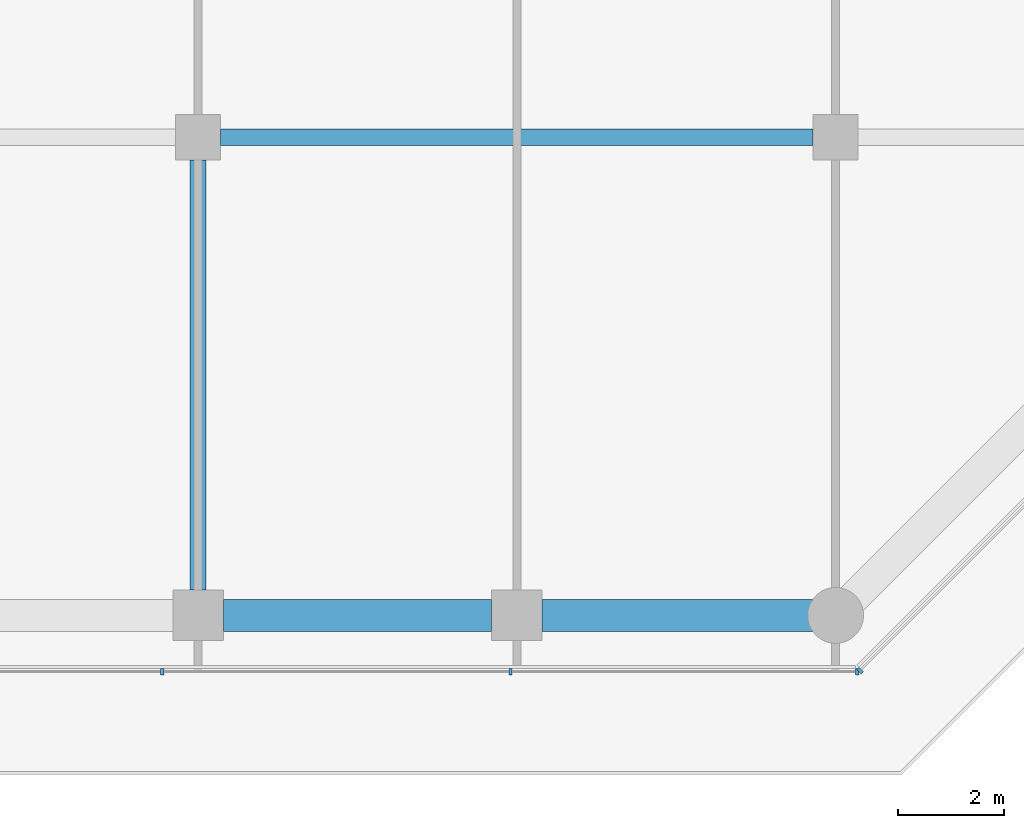
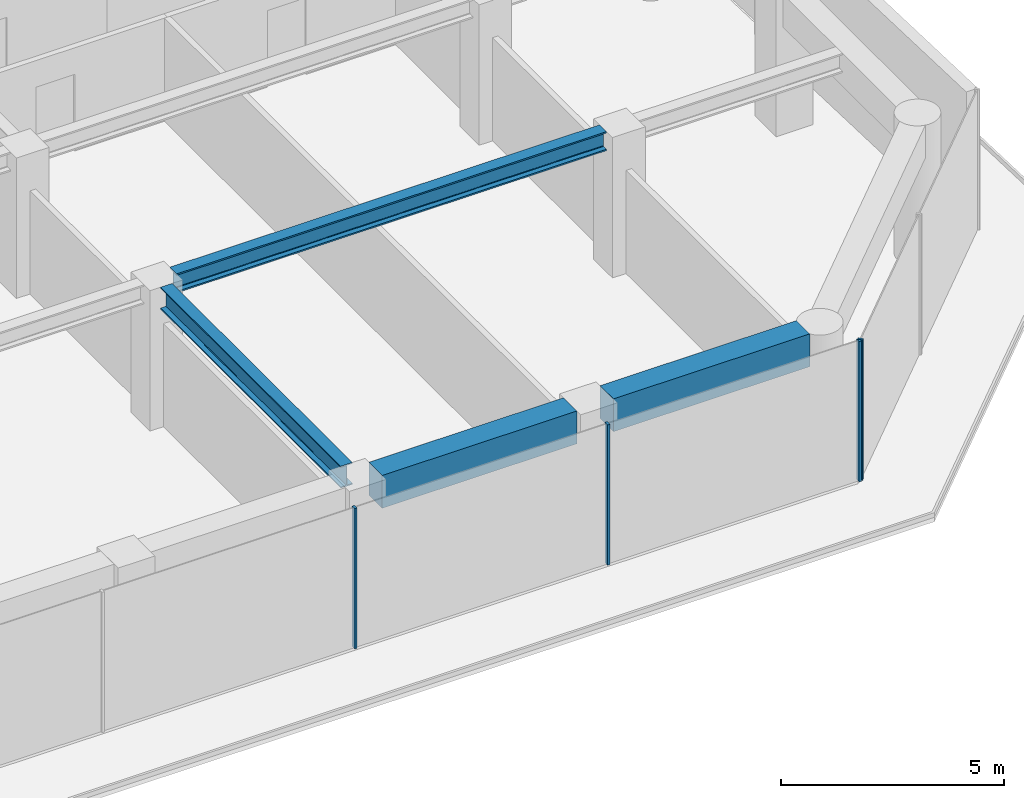
# One storey, part 9 of 29: 4 beams, 4 members, 2 elements without a shape of their own.
"""IFC4 building model written with IfcOpenShell, lengths in metres."""

import ifcopenshell
import ifcopenshell.guid

model = None  # the IFC model being written
_history = None  # IfcOwnerHistory: only IFC2X3 demands one
_inside = {}  # id of a spatial element -> (the spatial element, [elements in it])
_under = {}  # id of a project, library or spatial element -> (it, [spatial elements below it])
_declared = {}  # id of a project -> (the project, [libraries it declares])
_typed = {}  # id of a type object -> (the type object, [elements of that type])
_made_of = {}  # id of a material, layer set ... -> (it, [elements and type objects made of it])


def new_model(schema):
    """Start an empty IFC model of exactly this schema.

    Asked for "IFC4X3", IfcOpenShell would pick the latest addendum, in which some entities
    have other attributes; the version numbers below select the first issue.
    IFC2X3 requires an IfcOwnerHistory on every rooted entity: one is made here for all.
    """
    global model, _history
    if schema == "IFC4X3":
        model = ifcopenshell.file(schema_version=(4, 3, 0, 0))
    else:
        model = ifcopenshell.file(schema=schema)
    _inside.clear()
    _under.clear()
    _declared.clear()
    _typed.clear()
    _made_of.clear()
    _history = None
    if model.schema == "IFC2X3":
        org = make("IfcOrganization", Name="unknown")
        user = make(
            "IfcPersonAndOrganization",
            ThePerson=make("IfcPerson", FamilyName="unknown"),
            TheOrganization=org,
        )
        app = make(
            "IfcApplication",
            ApplicationDeveloper=org,
            Version="unknown",
            ApplicationFullName="unknown",
            ApplicationIdentifier="unknown",
        )
        _history = make(
            "IfcOwnerHistory",
            OwningUser=user,
            OwningApplication=app,
            ChangeAction="ADDED",
            CreationDate=0,
        )
    return model


def make(cls, **values):
    """One entity of the class cls with the attributes given. An attribute that is None is left unset."""
    return model.create_entity(
        cls, **{name: value for name, value in values.items() if value is not None}
    )


def rooted(cls, **values):
    """An entity with a GlobalId (a new one), such as an element, a storey or a relation."""
    return make(cls, GlobalId=ifcopenshell.guid.new(), OwnerHistory=_history, **values)


def si_unit(unit_type, name, prefix=None):
    """IfcSIUnit, for example si_unit("LENGTHUNIT", "METRE", prefix="MILLI")."""
    return make("IfcSIUnit", UnitType=unit_type, Prefix=prefix, Name=name)


def assignment(units):
    """IfcUnitAssignment: the units of a project."""
    return None if units is None else make("IfcUnitAssignment", Units=units)


def point(xyz):
    """IfcCartesianPoint."""
    return None if xyz is None else make("IfcCartesianPoint", Coordinates=xyz)


def direction(xyz):
    """IfcDirection."""
    return None if xyz is None else make("IfcDirection", DirectionRatios=xyz)


def frame(location, z_axis=None, x_axis=None):
    """IfcAxis2Placement3D, a coordinate frame: its origin and axes. An axis left out is left unset."""
    return make(
        "IfcAxis2Placement3D",
        Location=point(location),
        Axis=direction(z_axis),
        RefDirection=direction(x_axis),
    )


def frame_2d(location, x_axis=None):
    """IfcAxis2Placement2D, a coordinate frame in the plane: its origin and x axis."""
    return make(
        "IfcAxis2Placement2D", Location=point(location), RefDirection=direction(x_axis)
    )


def origin():
    """The frame at (0, 0, 0) with its axes left unset."""
    return frame((0.0, 0.0, 0.0))


def origin_2d():
    """The frame at (0, 0) in the plane with its x axis left unset."""
    return frame_2d((0.0, 0.0))


def place(relative_to, where):
    """IfcLocalPlacement: puts the frame where relative to a parent placement (None: the world)."""
    return make(
        "IfcLocalPlacement", PlacementRelTo=relative_to, RelativePlacement=where
    )


def context(
    kind, dimensions, precision=None, world=None, true_north=None, identifier=None
):
    """IfcGeometricRepresentationContext, for example the 3D "Model" context."""
    return make(
        "IfcGeometricRepresentationContext",
        ContextIdentifier=identifier,
        ContextType=kind,
        CoordinateSpaceDimension=dimensions,
        Precision=precision,
        WorldCoordinateSystem=world,
        TrueNorth=true_north,
    )


def subcontext(parent, identifier, kind, view, scale=None):
    """IfcGeometricRepresentationSubContext, for example "Body" below "Model"."""
    return make(
        "IfcGeometricRepresentationSubContext",
        ContextIdentifier=identifier,
        ContextType=kind,
        ParentContext=parent,
        TargetScale=scale,
        TargetView=view,
    )


def project(units=None, contexts=None):
    """IfcProject with its units and contexts."""
    return rooted(
        "IfcProject",
        Name="project",
        RepresentationContexts=contexts,
        UnitsInContext=assignment(units),
    )


def spatial(cls, under=None, at=None, **own):
    """A site, building, storey or space (cls), placed at a placement, below another one or the project."""
    s = rooted(cls, ObjectPlacement=at, **own)
    if under is not None:
        _under.setdefault(under.id(), (under, []))[1].append(s)
    return s


def profile(cls, at=None, kind="AREA", **sizes):
    """A parametric profile (cls). Its sizes go by their IFC names, for example OverallWidth=200.0."""
    return make(cls, ProfileType=kind, Position=at, **sizes)


def rectangle(**sizes):
    """IfcRectangleProfileDef."""
    return profile("IfcRectangleProfileDef", **sizes)


def i_section(**sizes):
    """IfcIShapeProfileDef."""
    return profile("IfcIShapeProfileDef", **sizes)


def extrude(swept, where, along, depth):
    """IfcExtrudedAreaSolid: the profile swept, set in the frame where, extruded along a direction by depth."""
    return make(
        "IfcExtrudedAreaSolid",
        SweptArea=swept,
        Position=where,
        ExtrudedDirection=direction(along),
        Depth=depth,
    )


def shape(context_of_items, identifier, shape_type, items):
    """IfcShapeRepresentation: the items that make up one representation, for example the "Body"."""
    return make(
        "IfcShapeRepresentation",
        ContextOfItems=context_of_items,
        RepresentationIdentifier=identifier,
        RepresentationType=shape_type,
        Items=items,
    )


def material(Name=None, Category=None):
    """IfcMaterial."""
    return make("IfcMaterial", Name=Name, Category=Category)


def layer(
    of_material, thickness, ventilated=None, Name=None, Category=None, Priority=None
):
    """IfcMaterialLayer: one layer of a wall or slab, of a material (None: an air gap)."""
    return make(
        "IfcMaterialLayer",
        Material=of_material,
        LayerThickness=thickness,
        IsVentilated=ventilated,
        Name=Name,
        Category=Category,
        Priority=Priority,
    )


def layer_set(layers, Name=None):
    """IfcMaterialLayerSet."""
    return make("IfcMaterialLayerSet", MaterialLayers=layers, LayerSetName=Name)


def material_profile(
    of_material, cross_section, Name=None, Category=None, Priority=None
):
    """IfcMaterialProfile: a cross section and its material."""
    return make(
        "IfcMaterialProfile",
        Name=Name,
        Material=of_material,
        Profile=cross_section,
        Priority=Priority,
        Category=Category,
    )


def profile_set(profiles, Name=None, composite=None):
    """IfcMaterialProfileSet."""
    return make(
        "IfcMaterialProfileSet",
        Name=Name,
        MaterialProfiles=profiles,
        CompositeProfile=composite,
    )


def made_of(thing, what):
    """Note that an element or type object is made of a material, layer set ...; save() writes the relation."""
    if what is not None:
        _made_of.setdefault(what.id(), (what, []))[1].append(thing)
    return thing


def type_object(cls, material=None, **own):
    """A type object (cls), such as IfcWallType, which elements share."""
    return made_of(rooted(cls, **own), material)


def element(
    cls,
    number,
    at=None,
    inside=None,
    cuts=None,
    type_object=None,
    material=None,
    context=None,
    identifier="Body",
    shape_type=None,
    held_by="IfcProductDefinitionShape",
    body=None,
    shapes=None,
    **own,
):
    """One element of the class cls, such as IfcWall. Its Tag is "e" and its number.

    at: its placement. inside: the storey or other place that contains it. cuts: it is an
    opening in that element (IfcRelVoidsElement). A single representation is given by context,
    identifier, shape_type and body (its items); several are given by shapes. held_by: the class
    of the entity that holds the representations. save() writes the other relations.
    """
    e = rooted(cls, Tag="e%d" % number, ObjectPlacement=at, **own)
    if body is not None:
        shapes = [shape(context, identifier, shape_type, body)]
    if shapes is not None:
        e.Representation = make(held_by, Representations=shapes)
    if inside is not None:
        _inside.setdefault(inside.id(), (inside, []))[1].append(e)
    if cuts is not None:
        rooted(
            "IfcRelVoidsElement", RelatingBuildingElement=cuts, RelatedOpeningElement=e
        )
    if type_object is not None:
        _typed.setdefault(type_object.id(), (type_object, []))[1].append(e)
    return made_of(e, material)


def aggregate(whole, parts):
    """IfcRelAggregates: a whole, such as a stair, and the parts it consists of."""
    return rooted("IfcRelAggregates", RelatingObject=whole, RelatedObjects=parts)


def save(model, path):
    """Write the relations noted so far, then the file.

    IfcRelAggregates (storeys below a building ...), IfcRelContainedInSpatialStructure (elements
    in a storey), IfcRelDefinesByType, IfcRelAssociatesMaterial and IfcRelDeclares: one each for
    every whole, place, type object, material and project.
    """
    for whole, parts in _under.values():
        aggregate(whole, parts)
    for where, things in _inside.values():
        rooted(
            "IfcRelContainedInSpatialStructure",
            RelatedElements=things,
            RelatingStructure=where,
        )
    for kind, things in _typed.values():
        rooted("IfcRelDefinesByType", RelatedObjects=things, RelatingType=kind)
    for what, things in _made_of.values():
        rooted("IfcRelAssociatesMaterial", RelatedObjects=things, RelatingMaterial=what)
    for by, libraries in _declared.values():
        rooted("IfcRelDeclares", RelatingContext=by, RelatedDefinitions=libraries)
    model.write(path)


model = new_model("IFC4")

# Units and contexts
model_context = context("Model", 3, precision=1e-05, world=origin(), true_north=direction((0.0, 1.0)))
body_context = subcontext(model_context, "Body", "Model", "MODEL_VIEW")
ifc_project = project(units=[si_unit("LENGTHUNIT", "METRE"), si_unit("AREAUNIT", "SQUARE_METRE"), si_unit("VOLUMEUNIT", "CUBIC_METRE"), si_unit("PLANEANGLEUNIT", "RADIAN"), si_unit("MASSUNIT", "GRAM", prefix="KILO")], contexts=[model_context])

# Site, building, storey
site_placement = place(None, origin())
site = spatial("IfcSite", under=ifc_project, at=site_placement, CompositionType="ELEMENT")
building_placement = place(site_placement, origin())
building = spatial("IfcBuilding", under=site, at=building_placement, Name="Welwitschia Terrace Campus", CompositionType="ELEMENT")
storey_placement = place(building_placement, frame((0.0, 0.0, 58.39990234375)))
storey = spatial("IfcBuildingStorey", under=building, at=storey_placement, Name="L13", CompositionType="ELEMENT", Elevation=58.39990234375)

# Beam
ifc_material_1 = material(Name="Steel S355", Category="steel")
ifc_material_profile_1 = material_profile(ifc_material_1, i_section(OverallWidth=0.305908203125, OverallDepth=0.52392578125, WebThickness=0.02099609375, FlangeThickness=0.0400390625, FilletRadius=0.027099609375, at=origin_2d()))
ifc_profile_set_1 = profile_set([ifc_material_profile_1], Name="Steel S355")
beam_type_1 = type_object("IfcBeamType", Name="Interior girder HE 500 M", PredefinedType="BEAM", material=ifc_profile_set_1)
beam_1_placement = place(storey_placement, frame((48.425537109375, 5.0, 3.588134765625), z_axis=(1.0, 0.0, 0.0), x_axis=(0.0, 1.0, 0.0)))
element("IfcBeam", 1, at=beam_1_placement, inside=storey, type_object=beam_type_1, Name="Girder GB2", PredefinedType="BEAM", context=body_context, shape_type="SweptSolid", body=[
    extrude(i_section(OverallWidth=0.305908203125, OverallDepth=0.52392578125, WebThickness=0.02099609375, FlangeThickness=0.0400390625, FilletRadius=0.027099609375, at=origin_2d()), origin(), (0.0, 0.0, 1.0), 11.14892578125),
])

# Curtain wall, members
ifc_material_2 = material(Name="Bronze anodised aluminium", Category="aluminium")
ifc_layer = layer(ifc_material_2, 0.1201171875)
ifc_layer_set = layer_set([ifc_layer], Name="Bronze anodised aluminium")
curtain_wall_type = type_object("IfcCurtainWallType", Name="Curtain wall CW2 tower 6000", PredefinedType="NOTDEFINED", material=ifc_layer_set)
curtain_wall_1_placement = place(storey_placement, origin())
curtain_wall_1 = element("IfcCurtainWall", 2, at=curtain_wall_1_placement, inside=storey, type_object=curtain_wall_type, Name="CW L13.3.0", PredefinedType="NOTDEFINED")
ifc_material_3 = material(Name="Bronze anodised aluminium", Category="aluminium")
ifc_material_profile_2 = material_profile(ifc_material_3, rectangle(XDim=0.1201171875, YDim=0.06005859375, at=origin_2d()))
ifc_profile_set_2 = profile_set([ifc_material_profile_2], Name="Bronze anodised aluminium")
member_type = type_object("IfcMemberType", Name="Mullion 60x120", PredefinedType="MULLION", material=ifc_profile_set_2)
member_1_placement = place(storey_placement, frame((47.323974609375, -5.05810546875, 0.0), z_axis=(0.0, 0.0, 1.0), x_axis=(0.0, 1.0, 0.0)))
member_1 = element("IfcMember", 3, at=member_1_placement, type_object=member_type, Name="Mullion L13.3.0.3", PredefinedType="MULLION", context=body_context, shape_type="SweptSolid", body=[
    extrude(rectangle(XDim=0.1201171875, YDim=0.06005859375, at=origin_2d()), origin(), (0.0, 0.0, 1.0), 3.85009765625),
])
member_2_placement = place(storey_placement, frame((53.881103515625, -5.05810546875, 0.0), z_axis=(0.0, 0.0, 1.0), x_axis=(0.0, 1.0, 0.0)))
member_2 = element("IfcMember", 4, at=member_2_placement, type_object=member_type, Name="Mullion L13.3.0.4", PredefinedType="MULLION", context=body_context, shape_type="SweptSolid", body=[
    extrude(rectangle(XDim=0.1201171875, YDim=0.06005859375, at=origin_2d()), origin(), (0.0, 0.0, 1.0), 3.85009765625),
])
member_3_placement = place(storey_placement, frame((60.408203125, -5.05810546875, 0.0), z_axis=(0.0, 0.0, 1.0), x_axis=(0.0, 1.0, 0.0)))
member_3 = element("IfcMember", 5, at=member_3_placement, type_object=member_type, Name="Mullion L13.3.0.5", PredefinedType="MULLION", context=body_context, shape_type="SweptSolid", body=[
    extrude(rectangle(XDim=0.1201171875, YDim=0.06005859375, at=origin_2d()), origin(), (0.0, 0.0, 1.0), 3.85009765625),
])
aggregate(curtain_wall_1, [member_1, member_2, member_3])

# Curtain wall, member
curtain_wall_2_placement = place(storey_placement, origin())
curtain_wall_2 = element("IfcCurtainWall", 6, at=curtain_wall_2_placement, inside=storey, type_object=curtain_wall_type, Name="CW L13.4.0", PredefinedType="NOTDEFINED")
member_4_placement = place(storey_placement, frame((60.45947265625, -5.036865234375, 0.0), z_axis=(0.0, 0.0, 1.0), x_axis=(-0.707106781187, 0.707106781187, 0.0)))
member_4 = element("IfcMember", 7, at=member_4_placement, type_object=member_type, Name="Mullion L13.4.0.0", PredefinedType="MULLION", context=body_context, shape_type="SweptSolid", body=[
    extrude(rectangle(XDim=0.1201171875, YDim=0.06005859375, at=origin_2d()), origin(), (0.0, 0.0, 1.0), 3.85009765625),
])
aggregate(curtain_wall_2, [member_4])

# Beams
ifc_material_4 = material(Name="Steel S355", Category="steel")
ifc_material_profile_3 = material_profile(ifc_material_4, i_section(OverallWidth=0.300048828125, OverallDepth=0.60009765625, WebThickness=0.015380859375, FlangeThickness=0.030029296875, FilletRadius=0.027099609375, at=origin_2d()))
ifc_profile_set_3 = profile_set([ifc_material_profile_3], Name="Steel S355")
beam_type_2 = type_object("IfcBeamType", Name="Primary beam HE 600 B", PredefinedType="BEAM", material=ifc_profile_set_3)
beam_2_placement = place(storey_placement, frame((48.0, -3.5244140625, 3.550048828125), z_axis=(0.0, 1.0, 0.0), x_axis=(-1.0, 0.0, 0.0)))
element("IfcBeam", 8, at=beam_2_placement, inside=storey, type_object=beam_type_2, Name="Primary beam PB2", PredefinedType="BEAM", context=body_context, shape_type="SweptSolid", body=[
    extrude(i_section(OverallWidth=0.300048828125, OverallDepth=0.60009765625, WebThickness=0.015380859375, FlangeThickness=0.030029296875, FilletRadius=0.027099609375, at=origin_2d()), origin(), (0.0, 0.0, 1.0), 8.098876953125),
])
ifc_material_5 = material(Name="Concrete C60/75", Category="concrete")
ifc_material_profile_4 = material_profile(ifc_material_5, rectangle(XDim=0.60009765625, YDim=0.89990234375, at=origin_2d()))
ifc_profile_set_4 = profile_set([ifc_material_profile_4], Name="Concrete C60/75")
beam_type_3 = type_object("IfcBeamType", Name="Ring spandrel 600x900", PredefinedType="SPANDREL", material=ifc_profile_set_4)
beam_3_placement = place(storey_placement, frame((48.4755859375, -4.0, 3.400146484375), z_axis=(1.0, 0.0, 0.0), x_axis=(0.0, 1.0, 0.0)))
element("IfcBeam", 9, at=beam_3_placement, inside=storey, type_object=beam_type_3, Name="Spandrel SP2", PredefinedType="SPANDREL", context=body_context, shape_type="SweptSolid", body=[
    extrude(rectangle(XDim=0.60009765625, YDim=0.89990234375, at=origin_2d()), origin(), (0.0, 0.0, 1.0), 5.048828125),
])
beam_4_placement = place(storey_placement, frame((54.4755859375, -4.0, 3.400146484375), z_axis=(1.0, 0.0, 0.0), x_axis=(0.0, 1.0, 0.0)))
element("IfcBeam", 10, at=beam_4_placement, inside=storey, type_object=beam_type_3, Name="Spandrel SP2", PredefinedType="SPANDREL", context=body_context, shape_type="SweptSolid", body=[
    extrude(rectangle(XDim=0.60009765625, YDim=0.89990234375, at=origin_2d()), origin(), (0.0, 0.0, 1.0), 5.093017578125),
])

save(model, "model.ifc")
